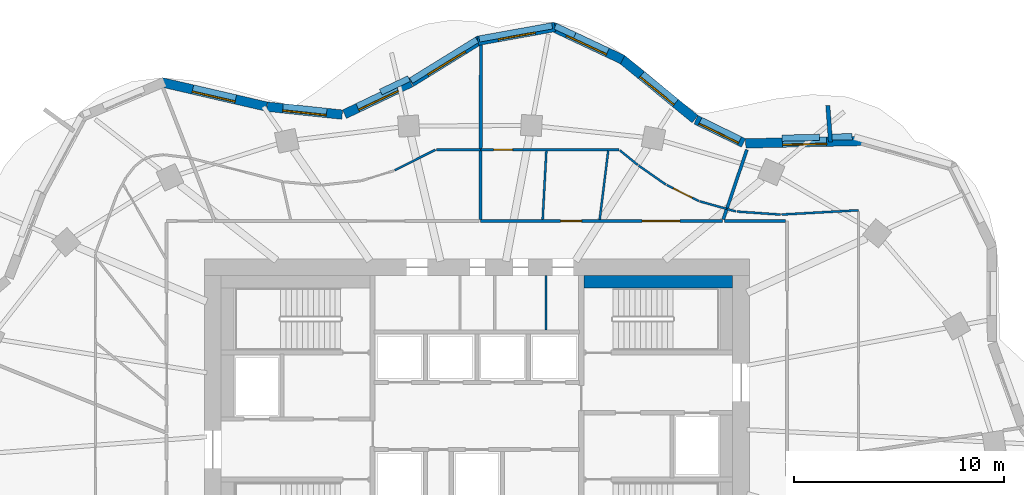
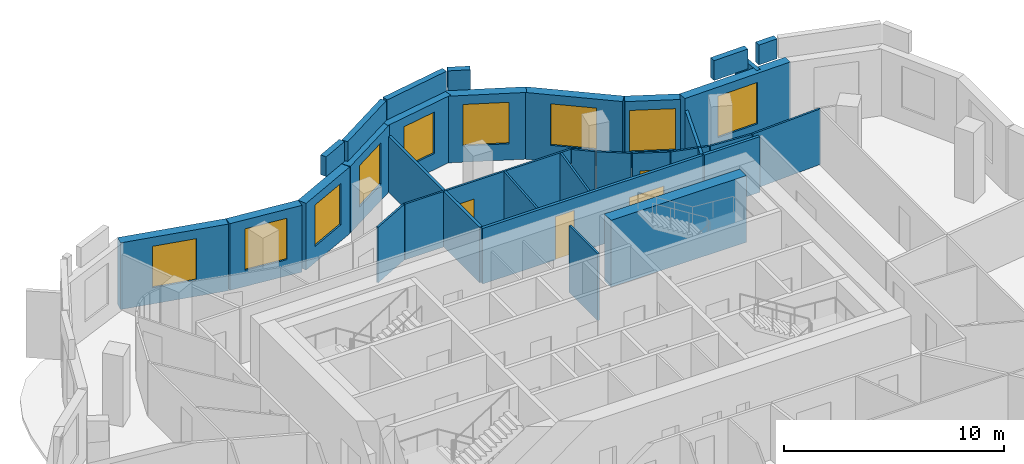
# One storey, part 10 of 13: 34 walls, 9 windows, 4 doors, 13 openings.
"""IFC4 building model written with IfcOpenShell, lengths in metres."""

from ifc_helpers import new_model, si_unit, direction, frame, frame_2d, origin, place, context, subcontext, project, spatial, rectangle, extrude, material, layer, layer_set, type_object, element, fill, save


model = new_model("IFC4")

# Units and contexts
model_context = context("Model", 3, precision=1e-05, world=origin(), true_north=direction((0.0, 1.0)))
body_context = subcontext(model_context, "Body", "Model", "MODEL_VIEW")
ifc_project = project(units=[si_unit("LENGTHUNIT", "METRE"), si_unit("AREAUNIT", "SQUARE_METRE"), si_unit("VOLUMEUNIT", "CUBIC_METRE"), si_unit("PLANEANGLEUNIT", "RADIAN"), si_unit("MASSUNIT", "GRAM", prefix="KILO")], contexts=[model_context])

# Site, building, storey
site_placement = place(None, origin())
site = spatial("IfcSite", under=ifc_project, at=site_placement, CompositionType="ELEMENT")
building_placement = place(site_placement, origin())
building = spatial("IfcBuilding", under=site, at=building_placement, Name="Rubra Terraces Tower", CompositionType="ELEMENT")
storey_placement = place(building_placement, frame((0.0, 0.0, 252.60009765625)))
storey = spatial("IfcBuildingStorey", under=building, at=storey_placement, Name="L62", CompositionType="ELEMENT", Elevation=252.60009765625)

# Wall, opening, window
ifc_material_1 = material(Name="Brick masonry red-brown", Category="masonry")
ifc_layer_1 = layer(ifc_material_1, 0.449951171875)
ifc_layer_set_1 = layer_set([ifc_layer_1], Name="Brick masonry red-brown")
wall_type_1 = type_object("IfcWallType", Name="Brick facade wall 450", PredefinedType="SOLIDWALL", material=ifc_layer_set_1)
wall_1_placement = place(storey_placement, frame((18.433837890625, 17.622314453125, 0.0), z_axis=(0.0, 0.0, 1.0), x_axis=(-0.999773749739, -0.021270856405, 0.0)))
wall_1 = element("IfcWall", 1, at=wall_1_placement, inside=storey, type_object=wall_type_1, Name="Facade wall L62 bay 6", PredefinedType="SOLIDWALL", context=body_context, shape_type="SweptSolid", body=[
    extrude(rectangle(XDim=5.612548828125, YDim=0.449951171875, at=frame_2d((2.80615234375, 0.0))), origin(), (0.0, 0.0, 1.0), 3.699951171875),
])
opening_1_placement = place(wall_1_placement, frame((1.75634765625, 0.0, 0.89990234375)))
opening_1 = element("IfcOpeningElement", 2, at=opening_1_placement, cuts=wall_1, Name="Opening W1B", PredefinedType="OPENING", context=body_context, shape_type="SweptSolid", body=[
    extrude(rectangle(XDim=2.10009765625, YDim=2.300048828125, at=frame_2d((1.050048828125, 1.14990234375))), frame((0.0, 0.23486328125, 0.0), z_axis=(0.0, -1.0, 0.0), x_axis=(1.0, 0.0, 0.0)), (0.0, 0.0, 1.0), 0.469970703125),
])
ifc_material_2 = material(Name="Clear glass in aluminium frame", Category="aluminium")
window_type_1 = type_object("IfcWindowType", Name="Fixed deep-set window tall storey 2100 x 2300", PartitioningType="SINGLE_PANEL", PredefinedType="WINDOW", material=ifc_material_2)
window_1_placement = place(opening_1_placement, origin())
window_1 = element("IfcWindow", 3, at=window_1_placement, inside=storey, type_object=window_type_1, Name="Window L62 bay 6", OverallHeight=2.300048828125, OverallWidth=2.10009765625, PartitioningType="SINGLE_PANEL", PredefinedType="WINDOW", context=body_context, shape_type="SweptSolid", body=[
    extrude(rectangle(XDim=2.10009765625, YDim=2.300048828125, at=frame_2d((1.050048828125, 1.14990234375))), frame((0.0, 0.135009765625, 0.0), z_axis=(0.0, -1.0, 0.0), x_axis=(1.0, 0.0, 0.0)), (0.0, 0.0, 1.0), 0.06005859375),
])
fill(opening_1, window_1)

wall_2_placement = place(storey_placement, frame((12.718994140625, 17.52587890625, 0.0), z_axis=(0.0, 0.0, 1.0), x_axis=(-0.898643806462, 0.438679050226, 0.0)))
wall_2 = element("IfcWall", 4, at=wall_2_placement, inside=storey, type_object=wall_type_1, Name="Facade wall L62 bay 7", PredefinedType="SOLIDWALL", context=body_context, shape_type="SweptSolid", body=[
    extrude(rectangle(XDim=2.5234375, YDim=0.449951171875, at=frame_2d((1.26171875, 0.0))), origin(), (0.0, 0.0, 1.0), 3.699951171875),
])
opening_2_placement = place(wall_2_placement, frame((0.2119140625, 0.0, 0.89990234375)))
opening_2 = element("IfcOpeningElement", 5, at=opening_2_placement, cuts=wall_2, Name="Opening W1B", PredefinedType="OPENING", context=body_context, shape_type="SweptSolid", body=[
    extrude(rectangle(XDim=2.10009765625, YDim=2.300048828125, at=frame_2d((1.050048828125, 1.14990234375))), frame((0.0, 0.23486328125, 0.0), z_axis=(0.0, -1.0, 0.0), x_axis=(1.0, 0.0, 0.0)), (0.0, 0.0, 1.0), 0.469970703125),
])
window_2_placement = place(opening_2_placement, origin())
window_2 = element("IfcWindow", 6, at=window_2_placement, inside=storey, type_object=window_type_1, Name="Window L62 bay 7", OverallHeight=2.300048828125, OverallWidth=2.10009765625, PartitioningType="SINGLE_PANEL", PredefinedType="WINDOW", context=body_context, shape_type="SweptSolid", body=[
    extrude(rectangle(XDim=2.10009765625, YDim=2.300048828125, at=frame_2d((1.050048828125, 1.14990234375))), frame((0.0, 0.135009765625, 0.0), z_axis=(0.0, -1.0, 0.0), x_axis=(1.0, 0.0, 0.0)), (0.0, 0.0, 1.0), 0.06005859375),
])
fill(opening_2, window_2)

wall_3_placement = place(storey_placement, frame((10.407470703125, 18.660888671875, 0.0), z_axis=(0.0, 0.0, 1.0), x_axis=(-0.773702458947, 0.633549133864, 0.0)))
wall_3 = element("IfcWall", 7, at=wall_3_placement, inside=storey, type_object=wall_type_1, Name="Facade wall L62 bay 8", PredefinedType="SOLIDWALL", context=body_context, shape_type="SweptSolid", body=[
    extrude(rectangle(XDim=4.525634765625, YDim=0.449951171875, at=frame_2d((2.2626953125, 0.0))), origin(), (0.0, 0.0, 1.0), 3.699951171875),
])
opening_3_placement = place(wall_3_placement, frame((1.212890625, 0.0, 0.89990234375)))
opening_3 = element("IfcOpeningElement", 8, at=opening_3_placement, cuts=wall_3, Name="Opening W1B", PredefinedType="OPENING", context=body_context, shape_type="SweptSolid", body=[
    extrude(rectangle(XDim=2.10009765625, YDim=2.300048828125, at=frame_2d((1.050048828125, 1.14990234375))), frame((0.0, 0.23486328125, 0.0), z_axis=(0.0, -1.0, 0.0), x_axis=(1.0, 0.0, 0.0)), (0.0, 0.0, 1.0), 0.469970703125),
])
window_3_placement = place(opening_3_placement, origin())
window_3 = element("IfcWindow", 9, at=window_3_placement, inside=storey, type_object=window_type_1, Name="Window L62 bay 8", OverallHeight=2.300048828125, OverallWidth=2.10009765625, PartitioningType="SINGLE_PANEL", PredefinedType="WINDOW", context=body_context, shape_type="SweptSolid", body=[
    extrude(rectangle(XDim=2.10009765625, YDim=2.300048828125, at=frame_2d((1.050048828125, 1.14990234375))), frame((0.0, 0.135009765625, 0.0), z_axis=(0.0, -1.0, 0.0), x_axis=(1.0, 0.0, 0.0)), (0.0, 0.0, 1.0), 0.06005859375),
])
fill(opening_3, window_3)

wall_4_placement = place(storey_placement, frame((6.952880859375, 21.49853515625, 0.0), z_axis=(0.0, 0.0, 1.0), x_axis=(-0.905034581957, 0.425337989676, 0.0)))
wall_4 = element("IfcWall", 10, at=wall_4_placement, inside=storey, type_object=wall_type_1, Name="Facade wall L62 bay 9", PredefinedType="SOLIDWALL", context=body_context, shape_type="SweptSolid", body=[
    extrude(rectangle(XDim=3.71435546875, YDim=0.449951171875, at=frame_2d((1.857177734375, 0.0))), origin(), (0.0, 0.0, 1.0), 3.699951171875),
])
opening_4_placement = place(wall_4_placement, frame((0.80712890625, 0.0, 0.89990234375)))
opening_4 = element("IfcOpeningElement", 11, at=opening_4_placement, cuts=wall_4, Name="Opening W1B", PredefinedType="OPENING", context=body_context, shape_type="SweptSolid", body=[
    extrude(rectangle(XDim=2.10009765625, YDim=2.300048828125, at=frame_2d((1.050048828125, 1.14990234375))), frame((0.0, 0.23486328125, 0.0), z_axis=(0.0, -1.0, 0.0), x_axis=(1.0, 0.0, 0.0)), (0.0, 0.0, 1.0), 0.469970703125),
])
window_4_placement = place(opening_4_placement, origin())
window_4 = element("IfcWindow", 12, at=window_4_placement, inside=storey, type_object=window_type_1, Name="Window L62 bay 9", OverallHeight=2.300048828125, OverallWidth=2.10009765625, PartitioningType="SINGLE_PANEL", PredefinedType="WINDOW", context=body_context, shape_type="SweptSolid", body=[
    extrude(rectangle(XDim=2.10009765625, YDim=2.300048828125, at=frame_2d((1.050048828125, 1.14990234375))), frame((0.0, 0.135009765625, 0.0), z_axis=(0.0, -1.0, 0.0), x_axis=(1.0, 0.0, 0.0)), (0.0, 0.0, 1.0), 0.06005859375),
])
fill(opening_4, window_4)

wall_5_placement = place(storey_placement, frame((3.726806640625, 23.060546875, 0.0), z_axis=(0.0, 0.0, 1.0), x_axis=(-0.984119180424, -0.177508982087, 0.0)))
wall_5 = element("IfcWall", 13, at=wall_5_placement, inside=storey, type_object=wall_type_1, Name="Facade wall L62 bay 10", PredefinedType="SOLIDWALL", context=body_context, shape_type="SweptSolid", body=[
    extrude(rectangle(XDim=3.74658203125, YDim=0.449951171875, at=frame_2d((1.873291015625, 0.0))), origin(), (0.0, 0.0, 1.0), 3.699951171875),
])
opening_5_placement = place(wall_5_placement, frame((0.97314453125, 0.0, 0.89990234375)))
opening_5 = element("IfcOpeningElement", 14, at=opening_5_placement, cuts=wall_5, Name="Opening W6B", PredefinedType="OPENING", context=body_context, shape_type="SweptSolid", body=[
    extrude(rectangle(XDim=1.800048828125, YDim=2.300048828125, at=frame_2d((0.89990234375, 1.14990234375))), frame((0.0, 0.23486328125, 0.0), z_axis=(0.0, -1.0, 0.0), x_axis=(1.0, 0.0, 0.0)), (0.0, 0.0, 1.0), 0.469970703125),
])
window_type_2 = type_object("IfcWindowType", Name="Fixed deep-set window at wind fin tall storey 1800 x 2300", PartitioningType="SINGLE_PANEL", PredefinedType="WINDOW", material=ifc_material_2)
window_5_placement = place(opening_5_placement, origin())
window_5 = element("IfcWindow", 15, at=window_5_placement, inside=storey, type_object=window_type_2, Name="Window L62 bay 10", OverallHeight=2.300048828125, OverallWidth=1.800048828125, PartitioningType="SINGLE_PANEL", PredefinedType="WINDOW", context=body_context, shape_type="SweptSolid", body=[
    extrude(rectangle(XDim=1.800048828125, YDim=2.300048828125, at=frame_2d((0.89990234375, 1.14990234375))), frame((0.0, 0.135009765625, 0.0), z_axis=(0.0, -1.0, 0.0), x_axis=(1.0, 0.0, 0.0)), (0.0, 0.0, 1.0), 0.06005859375),
])
fill(opening_5, window_5)

wall_6_placement = place(storey_placement, frame((0.114990234375, 22.423583984375, 0.0), z_axis=(0.0, 0.0, 1.0), x_axis=(-0.8506970368, -0.525656305564, 0.0)))
wall_6 = element("IfcWall", 16, at=wall_6_placement, inside=storey, type_object=wall_type_1, Name="Facade wall L62 bay 11", PredefinedType="SOLIDWALL", context=body_context, shape_type="SweptSolid", body=[
    extrude(rectangle(XDim=3.81640625, YDim=0.449951171875, at=frame_2d((1.908203125, 0.0))), origin(), (0.0, 0.0, 1.0), 3.699951171875),
])
opening_6_placement = place(wall_6_placement, frame((0.858154296875, 0.0, 0.89990234375)))
opening_6 = element("IfcOpeningElement", 17, at=opening_6_placement, cuts=wall_6, Name="Opening W1B", PredefinedType="OPENING", context=body_context, shape_type="SweptSolid", body=[
    extrude(rectangle(XDim=2.10009765625, YDim=2.300048828125, at=frame_2d((1.050048828125, 1.14990234375))), frame((0.0, 0.23486328125, 0.0), z_axis=(0.0, -1.0, 0.0), x_axis=(1.0, 0.0, 0.0)), (0.0, 0.0, 1.0), 0.469970703125),
])
window_6_placement = place(opening_6_placement, origin())
window_6 = element("IfcWindow", 18, at=window_6_placement, inside=storey, type_object=window_type_1, Name="Window L62 bay 11", OverallHeight=2.300048828125, OverallWidth=2.10009765625, PartitioningType="SINGLE_PANEL", PredefinedType="WINDOW", context=body_context, shape_type="SweptSolid", body=[
    extrude(rectangle(XDim=2.10009765625, YDim=2.300048828125, at=frame_2d((1.050048828125, 1.14990234375))), frame((0.0, 0.135009765625, 0.0), z_axis=(0.0, -1.0, 0.0), x_axis=(1.0, 0.0, 0.0)), (0.0, 0.0, 1.0), 0.06005859375),
])
fill(opening_6, window_6)

wall_7_placement = place(storey_placement, frame((-3.153564453125, 20.406005859375, 0.0), z_axis=(0.0, 0.0, 1.0), x_axis=(-0.902333313, -0.431038968367, 0.0)))
wall_7 = element("IfcWall", 19, at=wall_7_placement, inside=storey, type_object=wall_type_1, Name="Facade wall L62 bay 12", PredefinedType="SOLIDWALL", context=body_context, shape_type="SweptSolid", body=[
    extrude(rectangle(XDim=3.50537109375, YDim=0.449951171875, at=frame_2d((1.752685546875, 0.0))), origin(), (0.0, 0.0, 1.0), 3.699951171875),
])
opening_7_placement = place(wall_7_placement, frame((0.702880859375, 0.0, 0.89990234375)))
opening_7 = element("IfcOpeningElement", 20, at=opening_7_placement, cuts=wall_7, Name="Opening W1B", PredefinedType="OPENING", context=body_context, shape_type="SweptSolid", body=[
    extrude(rectangle(XDim=2.10009765625, YDim=2.300048828125, at=frame_2d((1.050048828125, 1.14990234375))), frame((0.0, 0.23486328125, 0.0), z_axis=(0.0, -1.0, 0.0), x_axis=(1.0, 0.0, 0.0)), (0.0, 0.0, 1.0), 0.469970703125),
])
window_7_placement = place(opening_7_placement, origin())
window_7 = element("IfcWindow", 21, at=window_7_placement, inside=storey, type_object=window_type_1, Name="Window L62 bay 12", OverallHeight=2.300048828125, OverallWidth=2.10009765625, PartitioningType="SINGLE_PANEL", PredefinedType="WINDOW", context=body_context, shape_type="SweptSolid", body=[
    extrude(rectangle(XDim=2.10009765625, YDim=2.300048828125, at=frame_2d((1.050048828125, 1.14990234375))), frame((0.0, 0.135009765625, 0.0), z_axis=(0.0, -1.0, 0.0), x_axis=(1.0, 0.0, 0.0)), (0.0, 0.0, 1.0), 0.06005859375),
])
fill(opening_7, window_7)

wall_8_placement = place(storey_placement, frame((-6.4267578125, 18.875244140625, 0.0), z_axis=(0.0, 0.0, 1.0), x_axis=(-0.994433468803, 0.10536638992, 0.0)))
wall_8 = element("IfcWall", 22, at=wall_8_placement, inside=storey, type_object=wall_type_1, Name="Facade wall L62 bay 13", PredefinedType="SOLIDWALL", context=body_context, shape_type="SweptSolid", body=[
    extrude(rectangle(XDim=3.598388671875, YDim=0.449951171875, at=frame_2d((1.79931640625, 0.0))), origin(), (0.0, 0.0, 1.0), 3.699951171875),
])
opening_8_placement = place(wall_8_placement, frame((0.749267578125, 0.0, 0.89990234375)))
opening_8 = element("IfcOpeningElement", 23, at=opening_8_placement, cuts=wall_8, Name="Opening W1B", PredefinedType="OPENING", context=body_context, shape_type="SweptSolid", body=[
    extrude(rectangle(XDim=2.10009765625, YDim=2.300048828125, at=frame_2d((1.050048828125, 1.14990234375))), frame((0.0, 0.23486328125, 0.0), z_axis=(0.0, -1.0, 0.0), x_axis=(1.0, 0.0, 0.0)), (0.0, 0.0, 1.0), 0.469970703125),
])
window_8_placement = place(opening_8_placement, origin())
window_8 = element("IfcWindow", 24, at=window_8_placement, inside=storey, type_object=window_type_1, Name="Window L62 bay 13", OverallHeight=2.300048828125, OverallWidth=2.10009765625, PartitioningType="SINGLE_PANEL", PredefinedType="WINDOW", context=body_context, shape_type="SweptSolid", body=[
    extrude(rectangle(XDim=2.10009765625, YDim=2.300048828125, at=frame_2d((1.050048828125, 1.14990234375))), frame((0.0, 0.135009765625, 0.0), z_axis=(0.0, -1.0, 0.0), x_axis=(1.0, 0.0, 0.0)), (0.0, 0.0, 1.0), 0.06005859375),
])
fill(opening_8, window_8)

wall_9_placement = place(storey_placement, frame((-10.0341796875, 19.258544921875, 0.0), z_axis=(0.0, 0.0, 1.0), x_axis=(-0.974223567844, 0.225584662283, 0.0)))
wall_9 = element("IfcWall", 25, at=wall_9_placement, inside=storey, type_object=wall_type_1, Name="Facade wall L62 bay 14", PredefinedType="SOLIDWALL", context=body_context, shape_type="SweptSolid", body=[
    extrude(rectangle(XDim=5.138671875, YDim=0.449951171875, at=frame_2d((2.5693359375, 0.0))), origin(), (0.0, 0.0, 1.0), 3.699951171875),
])
opening_9_placement = place(wall_9_placement, frame((1.51904296875, 0.0, 0.89990234375)))
opening_9 = element("IfcOpeningElement", 26, at=opening_9_placement, cuts=wall_9, Name="Opening W1B", PredefinedType="OPENING", context=body_context, shape_type="SweptSolid", body=[
    extrude(rectangle(XDim=2.10009765625, YDim=2.300048828125, at=frame_2d((1.050048828125, 1.14990234375))), frame((0.0, 0.23486328125, 0.0), z_axis=(0.0, -1.0, 0.0), x_axis=(1.0, 0.0, 0.0)), (0.0, 0.0, 1.0), 0.469970703125),
])
window_9_placement = place(opening_9_placement, origin())
window_9 = element("IfcWindow", 27, at=window_9_placement, inside=storey, type_object=window_type_1, Name="Window L62 bay 14", OverallHeight=2.300048828125, OverallWidth=2.10009765625, PartitioningType="SINGLE_PANEL", PredefinedType="WINDOW", context=body_context, shape_type="SweptSolid", body=[
    extrude(rectangle(XDim=2.10009765625, YDim=2.300048828125, at=frame_2d((1.050048828125, 1.14990234375))), frame((0.0, 0.135009765625, 0.0), z_axis=(0.0, -1.0, 0.0), x_axis=(1.0, 0.0, 0.0)), (0.0, 0.0, 1.0), 0.06005859375),
])
fill(opening_9, window_9)

# Walls
ifc_layer_2 = layer(ifc_material_1, 0.300048828125)
ifc_layer_set_2 = layer_set([ifc_layer_2], Name="Brick masonry red-brown")
wall_type_2 = type_object("IfcWallType", Name="Brick parapet 300", PredefinedType="PARAPET", material=ifc_layer_set_2)
wall_10_placement = place(storey_placement, frame((17.904052734375, 17.824462890625, 3.89990234375), z_axis=(0.0, 0.0, 1.0), x_axis=(-0.999771907309, -0.021357278744, 0.0)))
element("IfcWall", 28, at=wall_10_placement, inside=storey, type_object=wall_type_2, Name="Parapet L62 bay 6", PredefinedType="PARAPET", context=body_context, shape_type="SweptSolid", body=[
    extrude(rectangle(XDim=0.9716796875, YDim=0.300048828125, at=frame_2d((0.48583984375, 0.0))), origin(), (0.0, 0.0, 1.0), 1.10009765625),
])
wall_11_placement = place(storey_placement, frame((16.339599609375, 17.791259765625, 3.89990234375), z_axis=(0.0, 0.0, 1.0), x_axis=(-0.999776010316, -0.021164337831, 0.0)))
element("IfcWall", 29, at=wall_11_placement, inside=storey, type_object=wall_type_2, Name="Parapet L62 bay 6.2", PredefinedType="PARAPET", context=body_context, shape_type="SweptSolid", body=[
    extrude(rectangle(XDim=1.7880859375, YDim=0.300048828125, at=frame_2d((0.89404296875, 0.0))), origin(), (0.0, 0.0, 1.0), 1.10009765625),
])
wall_12_placement = place(storey_placement, frame((4.66650390625, 22.656005859375, 3.89990234375), z_axis=(0.0, 0.0, 1.0), x_axis=(-0.905050240273, 0.425304670304, 0.0)))
element("IfcWall", 30, at=wall_12_placement, inside=storey, type_object=wall_type_2, Name="Parapet L62 bay 9", PredefinedType="PARAPET", context=body_context, shape_type="SweptSolid", body=[
    extrude(rectangle(XDim=1.02685546875, YDim=0.300048828125, at=frame_2d((0.513427734375, 0.0))), origin(), (0.0, 0.0, 1.0), 1.10009765625),
])
wall_13_placement = place(storey_placement, frame((3.58984375, 23.112060546875, 3.89990234375), z_axis=(0.0, 0.0, 1.0), x_axis=(-0.984124248147, -0.177480884064, 0.0)))
element("IfcWall", 31, at=wall_13_placement, inside=storey, type_object=wall_type_2, Name="Parapet L62 bay 10", PredefinedType="PARAPET", context=body_context, shape_type="SweptSolid", body=[
    extrude(rectangle(XDim=3.533935546875, YDim=0.300048828125, at=frame_2d((1.76708984375, 0.0))), origin(), (0.0, 0.0, 1.0), 1.10009765625),
])
wall_14_placement = place(storey_placement, frame((0.0048828125, 22.443603515625, 3.89990234375), z_axis=(0.0, 0.0, 1.0), x_axis=(-0.850710394144, -0.525634688063, 0.0)))
element("IfcWall", 32, at=wall_14_placement, inside=storey, type_object=wall_type_2, Name="Parapet L62 bay 11", PredefinedType="PARAPET", context=body_context, shape_type="SweptSolid", body=[
    extrude(rectangle(XDim=3.701904296875, YDim=0.300048828125, at=frame_2d((1.85107421875, 0.0))), origin(), (0.0, 0.0, 1.0), 1.10009765625),
])
wall_15_placement = place(storey_placement, frame((-3.2392578125, 20.594482421875, 3.89990234375), z_axis=(0.0, 0.0, 1.0), x_axis=(-0.902344893923, -0.431014724123, 0.0)))
element("IfcWall", 33, at=wall_15_placement, inside=storey, type_object=wall_type_2, Name="Parapet L62 bay 12", PredefinedType="PARAPET", context=body_context, shape_type="SweptSolid", body=[
    extrude(rectangle(XDim=1.48974609375, YDim=0.300048828125, at=frame_2d((0.744873046875, 0.0))), origin(), (0.0, 0.0, 1.0), 1.10009765625),
])
ifc_layer_3 = layer(ifc_material_1, 0.199951171875)
ifc_layer_set_3 = layer_set([ifc_layer_3], Name="Brick masonry red-brown")
wall_type_3 = type_object("IfcWallType", Name="Brick wind fin 200", PredefinedType="SOLIDWALL", material=ifc_layer_set_3)
wall_16_placement = place(storey_placement, frame((16.868896484375, 17.56591796875, 0.0), z_axis=(0.0, 0.0, 1.0), x_axis=(-0.073655868346, 0.997283717434, 0.0)))
element("IfcWall", 34, at=wall_16_placement, inside=storey, type_object=wall_type_3, Name="Wind fin L62 4", PredefinedType="SOLIDWALL", context=body_context, shape_type="SweptSolid", body=[
    extrude(rectangle(XDim=1.75, YDim=0.199951171875, at=frame_2d((0.875, 0.0))), origin(), (0.0, 0.0, 1.0), 3.699951171875),
])

# Wall, openings, doors
ifc_material_3 = material(Name="Plasterboard on steel stud, mineral wool infill", Category="steel")
ifc_layer_4 = layer(ifc_material_3, 0.14990234375)
ifc_layer_set_4 = layer_set([ifc_layer_4], Name="Plasterboard on steel stud, mineral wool infill")
wall_type_4 = type_object("IfcWallType", Name="CORRIDOR PARTITION 150", PredefinedType="PARTITIONING", material=ifc_layer_set_4)
wall_17_placement = place(storey_placement, frame((11.726806640625, 13.800048828125, 0.0), z_axis=(0.0, 0.0, 1.0), x_axis=(-1.0, 0.0, 0.0)))
wall_17 = element("IfcWall", 35, at=wall_17_placement, inside=storey, type_object=wall_type_4, Name="PARTITION", PredefinedType="PARTITIONING", context=body_context, shape_type="SweptSolid", body=[
    extrude(rectangle(XDim=11.55419921875, YDim=0.14990234375, at=frame_2d((5.777099609375, 0.0))), origin(), (0.0, 0.0, 1.0), 3.083984375),
])
opening_10_placement = place(wall_17_placement, frame((2.0400390625, 0.0, 0.0)))
opening_10 = element("IfcOpeningElement", 36, at=opening_10_placement, cuts=wall_17, Name="Opening 62-101", PredefinedType="OPENING", context=body_context, shape_type="SweptSolid", body=[
    extrude(rectangle(XDim=1.800048828125, YDim=2.10009765625, at=frame_2d((0.89990234375, 1.050048828125))), frame((0.0, 0.0849609375, 0.0), z_axis=(0.0, -1.0, 0.0), x_axis=(1.0, 0.0, 0.0)), (0.0, 0.0, 1.0), 0.169921875),
])
opening_11_placement = place(wall_17_placement, frame((6.737060546875, 0.0, 0.0)))
opening_11 = element("IfcOpeningElement", 37, at=opening_11_placement, cuts=wall_17, Name="Opening 62-103", PredefinedType="OPENING", context=body_context, shape_type="SweptSolid", body=[
    extrude(rectangle(XDim=1.0, YDim=2.39990234375, at=frame_2d((0.5, 1.199951171875))), frame((0.0, 0.0849609375, 0.0), z_axis=(0.0, -1.0, 0.0), x_axis=(1.0, 0.0, 0.0)), (0.0, 0.0, 1.0), 0.169921875),
])
ifc_material_4 = material(Name="Glazed aluminium meeting door leaf", Category="aluminium")
door_type_1 = type_object("IfcDoorType", Name="MEETING ROOM GLAZED DOOR 1000 X 2400", OperationType="SINGLE_SWING_LEFT", PredefinedType="DOOR", material=ifc_material_4)
door_1_placement = place(opening_11_placement, origin())
door_1 = element("IfcDoor", 38, at=door_1_placement, inside=storey, type_object=door_type_1, Name="DOOR 62-103", OperationType="SINGLE_SWING_RIGHT", OverallHeight=2.39990234375, OverallWidth=1.0, PredefinedType="DOOR", context=body_context, shape_type="SweptSolid", body=[
    extrude(rectangle(XDim=1.0, YDim=2.39990234375, at=frame_2d((0.5, 1.199951171875))), frame((0.0, 0.02490234375, 0.0), z_axis=(0.0, -1.0, 0.0), x_axis=(1.0, 0.0, 0.0)), (0.0, 0.0, 1.0), 0.050048828125),
])
fill(opening_11, door_1)
ifc_material_5 = material(Name="Painted timber door leaf, double", Category="wood")
door_type_2 = type_object("IfcDoorType", Name="ROOM DOUBLE DOOR 1800 X 2100", OperationType="DOUBLE_DOOR_SINGLE_SWING", PredefinedType="DOOR", material=ifc_material_5)
door_2_placement = place(opening_10_placement, origin())
door_2 = element("IfcDoor", 39, at=door_2_placement, inside=storey, type_object=door_type_2, Name="DOOR 62-101", OperationType="DOUBLE_DOOR_SINGLE_SWING", OverallHeight=2.10009765625, OverallWidth=1.800048828125, PredefinedType="DOOR", context=body_context, shape_type="SweptSolid", body=[
    extrude(rectangle(XDim=1.800048828125, YDim=2.10009765625, at=frame_2d((0.89990234375, 1.050048828125))), frame((0.0, 0.02490234375, 0.0), z_axis=(0.0, -1.0, 0.0), x_axis=(1.0, 0.0, 0.0)), (0.0, 0.0, 1.0), 0.050048828125),
])
fill(opening_10, door_2)

# Walls
wall_18_placement = place(storey_placement, frame((14.72509765625, 13.800048828125, 0.0), z_axis=(0.0, 0.0, 1.0), x_axis=(-1.0, 0.0, 0.0)))
element("IfcWall", 40, at=wall_18_placement, inside=storey, type_object=wall_type_4, Name="PARTITION", PredefinedType="PARTITIONING", context=body_context, shape_type="SweptSolid", body=[
    extrude(rectangle(XDim=2.92333984375, YDim=0.14990234375, at=frame_2d((1.461669921875, 0.0))), origin(), (0.0, 0.0, 1.0), 3.083984375),
])
ifc_material_6 = material(Name="Concrete C40", Category="concrete")
ifc_layer_5 = layer(ifc_material_6, 0.60009765625)
ifc_layer_set_5 = layer_set([ifc_layer_5], Name="Concrete C40")
wall_type_5 = type_object("IfcWallType", Name="Core lining wall 600 concrete", PredefinedType="SOLIDWALL", material=ifc_layer_set_5)
wall_19_placement = place(storey_placement, frame((12.199951171875, 10.89990234375, 0.0), z_axis=(0.0, 0.0, 1.0), x_axis=(-1.0, 0.0, 0.0)))
element("IfcWall", 41, at=wall_19_placement, inside=storey, type_object=wall_type_5, Name="CORE LINING WALL L62", PredefinedType="SOLIDWALL", context=body_context, shape_type="SweptSolid", body=[
    extrude(rectangle(XDim=7.099853515625, YDim=0.60009765625, at=frame_2d((3.5498046875, 0.0))), origin(), (0.0, 0.0, 1.0), 3.699951171875),
])

# Wall, opening, door
ifc_material_7 = material(Name="Plasterboard on steel stud", Category="steel")
ifc_layer_6 = layer(ifc_material_7, 0.10009765625)
ifc_layer_set_6 = layer_set([ifc_layer_6], Name="Plasterboard on steel stud")
wall_type_6 = type_object("IfcWallType", Name="ROOM PARTITION 100", PredefinedType="PARTITIONING", material=ifc_layer_set_6)
wall_20_placement = place(storey_placement, frame((0.199462890625, 17.199951171875, 0.0), z_axis=(0.0, 0.0, 1.0), x_axis=(1.0, 0.0, 0.0)))
wall_20 = element("IfcWall", 42, at=wall_20_placement, inside=storey, type_object=wall_type_6, Name="PARTITION", PredefinedType="PARTITIONING", context=body_context, shape_type="SweptSolid", body=[
    extrude(rectangle(XDim=6.586181640625, YDim=0.10009765625, at=frame_2d((3.29296875, 0.0))), origin(), (0.0, 0.0, 1.0), 3.083984375),
])
opening_12_placement = place(wall_20_placement, frame((0.60009765625, 0.0, 0.0)))
opening_12 = element("IfcOpeningElement", 43, at=opening_12_placement, cuts=wall_20, Name="Opening 62-104", PredefinedType="OPENING", context=body_context, shape_type="SweptSolid", body=[
    extrude(rectangle(XDim=0.89990234375, YDim=2.10009765625, at=frame_2d((0.449951171875, 1.050048828125))), frame((0.0, 0.06005859375, 0.0), z_axis=(0.0, -1.0, 0.0), x_axis=(1.0, 0.0, 0.0)), (0.0, 0.0, 1.0), 0.1201171875),
])
ifc_material_8 = material(Name="Painted timber door leaf", Category="wood")
door_type_3 = type_object("IfcDoorType", Name="ROOM DOOR 900 X 2100", OperationType="SINGLE_SWING_LEFT", PredefinedType="DOOR", material=ifc_material_8)
door_3_placement = place(opening_12_placement, origin())
door_3 = element("IfcDoor", 44, at=door_3_placement, inside=storey, type_object=door_type_3, Name="DOOR 62-104", OperationType="SINGLE_SWING_LEFT", OverallHeight=2.10009765625, OverallWidth=0.89990234375, PredefinedType="DOOR", context=body_context, shape_type="SweptSolid", body=[
    extrude(rectangle(XDim=0.89990234375, YDim=2.10009765625, at=frame_2d((0.449951171875, 1.050048828125))), frame((0.0, 0.02490234375, 0.0), z_axis=(0.0, -1.0, 0.0), x_axis=(1.0, 0.0, 0.0)), (0.0, 0.0, 1.0), 0.050048828125),
])
fill(opening_12, door_3)

# Walls
wall_21_placement = place(storey_placement, frame((6.82421875, 17.168212890625, 0.0), z_axis=(0.0, 0.0, 1.0), x_axis=(0.774165282359, -0.632983503411, 0.0)))
element("IfcWall", 45, at=wall_21_placement, inside=storey, type_object=wall_type_6, Name="PARTITION", PredefinedType="PARTITIONING", context=body_context, shape_type="SweptSolid", body=[
    extrude(rectangle(XDim=1.09814453125, YDim=0.10009765625, at=frame_2d((0.549072265625, 0.0))), origin(), (0.0, 0.0, 1.0), 3.083984375),
])
wall_22_placement = place(storey_placement, frame((7.71533203125, 16.444580078125, 0.0), z_axis=(0.0, 0.0, 1.0), x_axis=(0.819746237961, -0.572726902938, 0.0)))
element("IfcWall", 46, at=wall_22_placement, inside=storey, type_object=wall_type_6, Name="PARTITION", PredefinedType="PARTITIONING", context=body_context, shape_type="SweptSolid", body=[
    extrude(rectangle(XDim=1.582275390625, YDim=0.10009765625, at=frame_2d((0.791015625, 0.0))), origin(), (0.0, 0.0, 1.0), 3.083984375),
])

# Wall, opening, door
wall_23_placement = place(storey_placement, frame((9.05712890625, 15.51611328125, 0.0), z_axis=(0.0, 0.0, 1.0), x_axis=(0.894598395044, -0.446871023434, 0.0)))
wall_23 = element("IfcWall", 47, at=wall_23_placement, inside=storey, type_object=wall_type_6, Name="PARTITION", PredefinedType="PARTITIONING", context=body_context, shape_type="SweptSolid", body=[
    extrude(rectangle(XDim=1.71044921875, YDim=0.10009765625, at=frame_2d((0.855224609375, 0.0))), origin(), (0.0, 0.0, 1.0), 3.083984375),
])
opening_13_placement = place(wall_23_placement, frame((0.35009765625, 0.0, 0.0)))
opening_13 = element("IfcOpeningElement", 48, at=opening_13_placement, cuts=wall_23, Name="Opening 62-102", PredefinedType="OPENING", context=body_context, shape_type="SweptSolid", body=[
    extrude(rectangle(XDim=1.0, YDim=2.10009765625, at=frame_2d((0.5, 1.050048828125))), frame((0.0, 0.06005859375, 0.0), z_axis=(0.0, -1.0, 0.0), x_axis=(1.0, 0.0, 0.0)), (0.0, 0.0, 1.0), 0.1201171875),
])
door_type_4 = type_object("IfcDoorType", Name="ROOM DOOR 1000 X 2100", OperationType="SINGLE_SWING_LEFT", PredefinedType="DOOR", material=ifc_material_8)
door_4_placement = place(opening_13_placement, origin())
door_4 = element("IfcDoor", 49, at=door_4_placement, inside=storey, type_object=door_type_4, Name="DOOR 62-102", OperationType="SINGLE_SWING_LEFT", OverallHeight=2.10009765625, OverallWidth=1.0, PredefinedType="DOOR", context=body_context, shape_type="SweptSolid", body=[
    extrude(rectangle(XDim=1.0, YDim=2.10009765625, at=frame_2d((0.5, 1.050048828125))), frame((0.0, 0.02490234375, 0.0), z_axis=(0.0, -1.0, 0.0), x_axis=(1.0, 0.0, 0.0)), (0.0, 0.0, 1.0), 0.050048828125),
])
fill(opening_13, door_4)

# Walls
wall_24_placement = place(storey_placement, frame((10.635498046875, 14.738037109375, 0.0), z_axis=(0.0, 0.0, 1.0), x_axis=(0.962794316294, -0.270235276217, 0.0)))
element("IfcWall", 50, at=wall_24_placement, inside=storey, type_object=wall_type_6, Name="PARTITION", PredefinedType="PARTITIONING", context=body_context, shape_type="SweptSolid", body=[
    extrude(rectangle(XDim=1.31640625, YDim=0.10009765625, at=frame_2d((0.658203125, 0.0))), origin(), (0.0, 0.0, 1.0), 3.083984375),
])
wall_25_placement = place(storey_placement, frame((5.856689453125, 13.87451171875, 0.0), z_axis=(0.0, 0.0, 1.0), x_axis=(0.123579610883, 0.992334661177, 0.0)))
element("IfcWall", 51, at=wall_25_placement, inside=storey, type_object=wall_type_6, Name="PARTITION", PredefinedType="PARTITIONING", context=body_context, shape_type="SweptSolid", body=[
    extrude(rectangle(XDim=3.30126953125, YDim=0.10009765625, at=frame_2d((1.650634765625, 0.0))), origin(), (0.0, 0.0, 1.0), 3.083984375),
])
wall_26_placement = place(storey_placement, frame((3.136962890625, 13.875, 0.0), z_axis=(0.0, 0.0, 1.0), x_axis=(0.053594127278, 0.998562801992, 0.0)))
element("IfcWall", 52, at=wall_26_placement, inside=storey, type_object=wall_type_6, Name="PARTITION", PredefinedType="PARTITIONING", context=body_context, shape_type="SweptSolid", body=[
    extrude(rectangle(XDim=3.27978515625, YDim=0.10009765625, at=frame_2d((1.639892578125, 0.0))), origin(), (0.0, 0.0, 1.0), 3.083984375),
])
wall_27_placement = place(storey_placement, frame((-3.91259765625, 16.224609375, 0.0), z_axis=(0.0, 0.0, 1.0), x_axis=(0.892706044325, 0.450639455026, 0.0)))
element("IfcWall", 53, at=wall_27_placement, inside=storey, type_object=wall_type_6, Name="PARTITION", PredefinedType="PARTITIONING", context=body_context, shape_type="SweptSolid", body=[
    extrude(rectangle(XDim=2.164306640625, YDim=0.10009765625, at=frame_2d((1.08203125, 0.0))), origin(), (0.0, 0.0, 1.0), 3.083984375),
])
wall_28_placement = place(storey_placement, frame((-1.930419921875, 17.199951171875, 0.0), z_axis=(0.0, 0.0, 1.0), x_axis=(1.0, 0.0, 0.0)))
element("IfcWall", 54, at=wall_28_placement, inside=storey, type_object=wall_type_6, Name="PARTITION", PredefinedType="PARTITIONING", context=body_context, shape_type="SweptSolid", body=[
    extrude(rectangle(XDim=2.08984375, YDim=0.10009765625, at=frame_2d((1.044921875, 0.0))), origin(), (0.0, 0.0, 1.0), 3.083984375),
])
wall_29_placement = place(storey_placement, frame((11.94140625, 14.37158203125, 0.0), z_axis=(0.0, 0.0, 1.0), x_axis=(0.962770354452, -0.270320632932, 0.0)))
element("IfcWall", 55, at=wall_29_placement, inside=storey, type_object=wall_type_6, Name="PARTITION", PredefinedType="PARTITIONING", context=body_context, shape_type="SweptSolid", body=[
    extrude(rectangle(XDim=0.4326171875, YDim=0.10009765625, at=frame_2d((0.21630859375, 0.0))), origin(), (0.0, 0.0, 1.0), 3.083984375),
])
wall_30_placement = place(storey_placement, frame((12.40771484375, 14.251220703125, 0.0), z_axis=(0.0, 0.0, 1.0), x_axis=(0.997594502721, -0.069319608638, 0.0)))
element("IfcWall", 56, at=wall_30_placement, inside=storey, type_object=wall_type_6, Name="PARTITION", PredefinedType="PARTITIONING", context=body_context, shape_type="SweptSolid", body=[
    extrude(rectangle(XDim=2.088623046875, YDim=0.10009765625, at=frame_2d((1.04443359375, 0.0))), origin(), (0.0, 0.0, 1.0), 3.083984375),
])
wall_31_placement = place(storey_placement, frame((14.541015625, 14.109130859375, 0.0), z_axis=(0.0, 0.0, 1.0), x_axis=(0.998466292218, 0.055363013868, 0.0)))
element("IfcWall", 57, at=wall_31_placement, inside=storey, type_object=wall_type_6, Name="PARTITION", PredefinedType="PARTITIONING", context=body_context, shape_type="SweptSolid", body=[
    extrude(rectangle(XDim=3.66455078125, YDim=0.10009765625, at=frame_2d((1.832275390625, 0.0))), origin(), (0.0, 0.0, 1.0), 3.083984375),
])
ifc_layer_7 = layer(ifc_material_7, 0.14990234375)
ifc_layer_set_7 = layer_set([ifc_layer_7], Name="Plasterboard on steel stud")
wall_type_7 = type_object("IfcWallType", Name="ROOM PARTITION 150", PredefinedType="PARTITIONING", material=ifc_layer_set_7)
wall_32_placement = place(storey_placement, frame((12.8779296875, 17.2001953125, 0.0), z_axis=(0.0, 0.0, 1.0), x_axis=(-0.320642197559, -0.947200391229, 0.0)))
element("IfcWall", 58, at=wall_32_placement, inside=storey, type_object=wall_type_7, Name="PARTITION", PredefinedType="PARTITIONING", context=body_context, shape_type="SweptSolid", body=[
    extrude(rectangle(XDim=3.5146484375, YDim=0.14990234375, at=frame_2d((1.75732421875, 0.0))), origin(), (0.0, 0.0, 1.0), 3.083984375),
])
wall_33_placement = place(storey_placement, frame((0.189208984375, 22.189697265625, 0.0), z_axis=(0.0, 0.0, 1.0), x_axis=(-0.001967286324, -0.99999806489, 0.0)))
element("IfcWall", 59, at=wall_33_placement, inside=storey, type_object=wall_type_7, Name="PARTITION", PredefinedType="PARTITIONING", context=body_context, shape_type="SweptSolid", body=[
    extrude(rectangle(XDim=8.314697265625, YDim=0.14990234375, at=frame_2d((4.1572265625, 0.0))), origin(), (0.0, 0.0, 1.0), 3.083984375),
])
ifc_material_9 = material(Name="Blockwork", Category="masonry")
ifc_layer_8 = layer(ifc_material_9, 0.10009765625)
ifc_layer_set_8 = layer_set([ifc_layer_8], Name="Blockwork")
wall_type_8 = type_object("IfcWallType", Name="Service partition 100 blockwork", PredefinedType="PARTITIONING", material=ifc_layer_set_8)
wall_34_placement = place(storey_placement, frame((3.300048828125, 8.60009765625, 0.0), z_axis=(0.0, 0.0, 1.0), x_axis=(0.0, 1.0, 0.0)))
element("IfcWall", 60, at=wall_34_placement, inside=storey, type_object=wall_type_8, Name="SERVICE ROOM PARTITION L62", PredefinedType="PARTITIONING", context=body_context, shape_type="SweptSolid", body=[
    extrude(rectangle(XDim=2.599853515625, YDim=0.10009765625, at=frame_2d((1.2998046875, 0.0))), origin(), (0.0, 0.0, 1.0), 3.699951171875),
])

save(model, "model.ifc")
